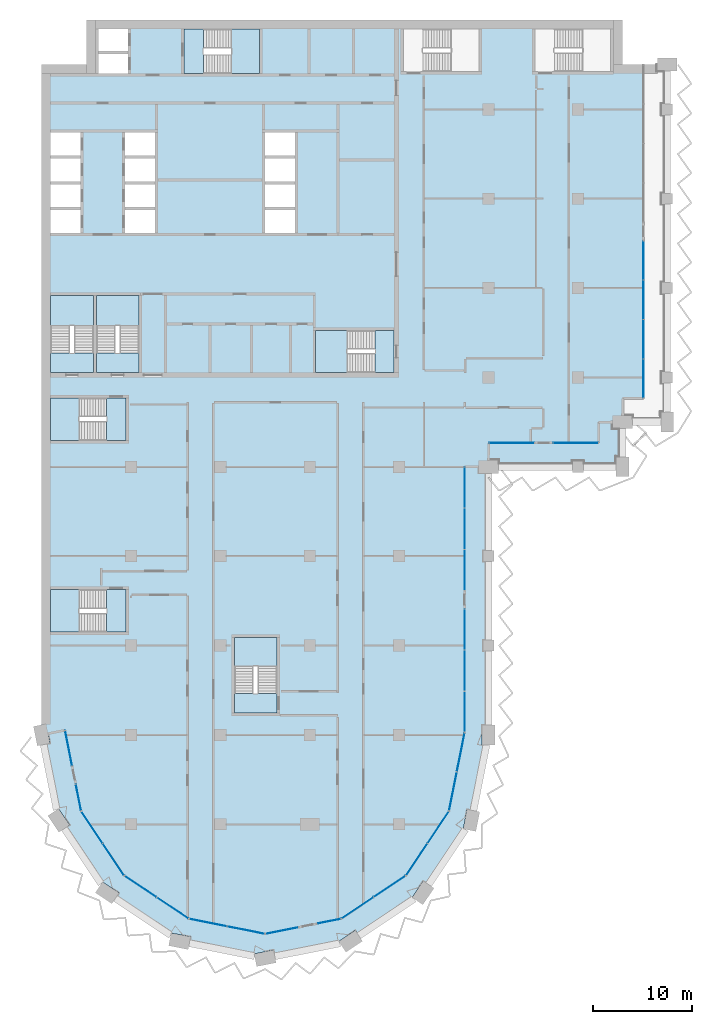
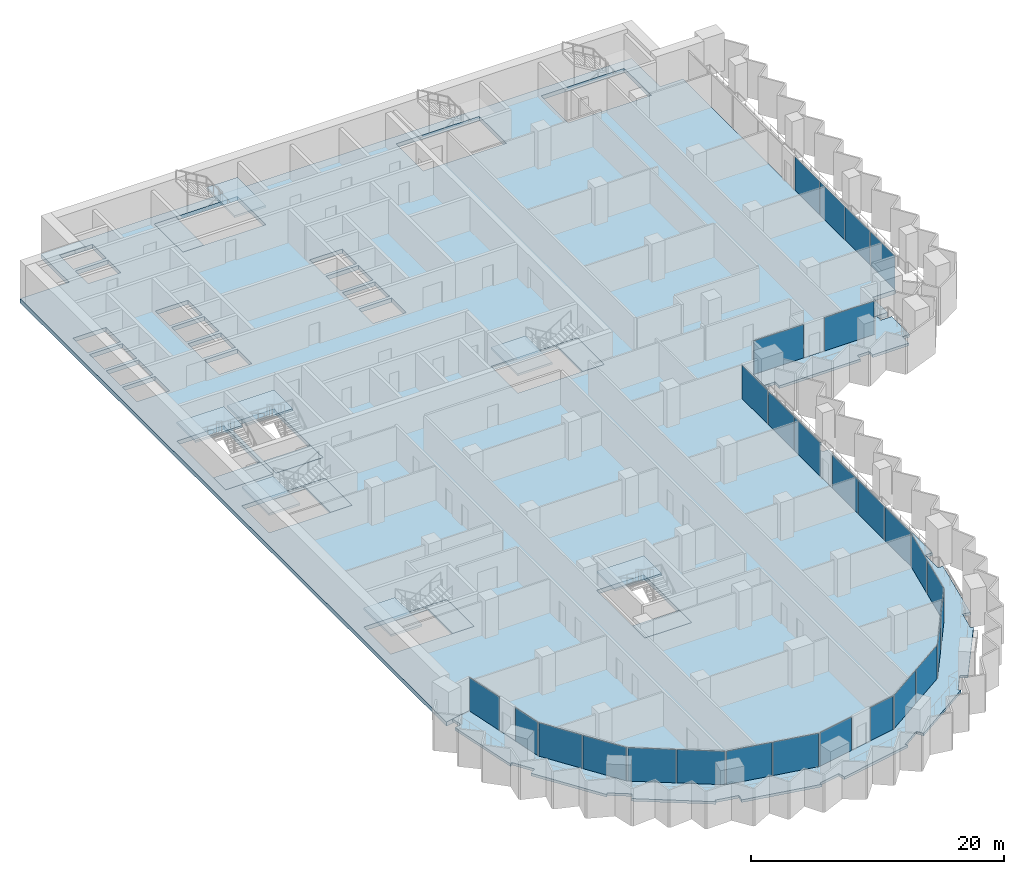
# One storey, part 6 of 22: 28 plates, 17 slabs, 22 elements without a shape of their own.
"""IFC4 building model written with IfcOpenShell, lengths in metres."""

from ifc_helpers import new_model, si_unit, direction, frame, origin, origin_2d, place, context, subcontext, project, spatial, polyline, rectangle, outline, extrude, material, layer, layer_set, type_object, element, aggregate, save


model = new_model("IFC4")

# Units and contexts
model_context = context("Model", 3, precision=1e-05, world=origin(), true_north=direction((0.0, 1.0)))
body_context = subcontext(model_context, "Body", "Model", "MODEL_VIEW")
ifc_project = project(units=[si_unit("LENGTHUNIT", "METRE"), si_unit("AREAUNIT", "SQUARE_METRE"), si_unit("VOLUMEUNIT", "CUBIC_METRE"), si_unit("PLANEANGLEUNIT", "RADIAN"), si_unit("MASSUNIT", "GRAM", prefix="KILO")], contexts=[model_context])

# Site, building, storey
site_placement = place(None, origin())
site = spatial("IfcSite", under=ifc_project, at=site_placement, CompositionType="ELEMENT")
building_placement = place(site_placement, origin())
building = spatial("IfcBuilding", under=site, at=building_placement, Name="Hunhe Ridgeline Campus", CompositionType="ELEMENT")
storey_placement = place(building_placement, frame((0.0, 0.0, 159.699951171875)))
storey = spatial("IfcBuildingStorey", under=building, at=storey_placement, Name="L40", CompositionType="ELEMENT", Elevation=159.699951171875)

# Curtain wall, plate
ifc_material_1 = material(Name="Aluminium 6063", Category="aluminium")
curtain_wall_type_1 = type_object("IfcCurtainWallType", Name="Curtain wall CW-5", PredefinedType="NOTDEFINED", material=ifc_material_1)
curtain_wall_1_placement = place(storey_placement, origin())
curtain_wall_1 = element("IfcCurtainWall", 1, at=curtain_wall_1_placement, inside=storey, type_object=curtain_wall_type_1, Name="Curtain wall 01", PredefinedType="NOTDEFINED")
ifc_material_2 = material(Name="Low-e laminated glass", Category="glass")
ifc_layer_1 = layer(ifc_material_2, 0.028076171875)
ifc_layer_set_1 = layer_set([ifc_layer_1], Name="Curtain wall glass panel 28 low-e laminated")
plate_type = type_object("IfcPlateType", Name="Curtain wall glass panel 28 low-e laminated", PredefinedType="CURTAIN_PANEL", material=ifc_layer_set_1)
plate_1_placement = place(storey_placement, frame((2.7158203125, 25.65380859375, 0.0), z_axis=(0.0, 0.0, 1.0), x_axis=(0.195095326561, -0.980784284924, 0.0)))
plate_1 = element("IfcPlate", 2, at=plate_1_placement, type_object=plate_type, Name="CW-5 panel 1", PredefinedType="CURTAIN_PANEL", context=body_context, shape_type="SweptSolid", body=[
    extrude(rectangle(XDim=3.560791015625, YDim=0.028076171875, at=origin_2d()), origin(), (0.0, 0.0, 1.0), 3.22998046875),
])
aggregate(curtain_wall_1, [plate_1])

curtain_wall_2_placement = place(storey_placement, origin())
curtain_wall_2 = element("IfcCurtainWall", 3, at=curtain_wall_2_placement, inside=storey, type_object=curtain_wall_type_1, Name="Curtain wall 02", PredefinedType="NOTDEFINED")
plate_2_placement = place(storey_placement, frame((3.701171875, 20.699951171875, 0.0), z_axis=(0.0, 0.0, 1.0), x_axis=(0.195095265587, -0.980784297053, 0.0)))
plate_2 = element("IfcPlate", 4, at=plate_2_placement, type_object=plate_type, Name="CW-5 panel 1", PredefinedType="CURTAIN_PANEL", context=body_context, shape_type="SweptSolid", body=[
    extrude(rectangle(XDim=2.660888671875, YDim=0.028076171875, at=origin_2d()), origin(), (0.0, 0.0, 1.0), 3.22998046875),
])
aggregate(curtain_wall_2, [plate_2])

# Curtain wall, plates
curtain_wall_3_placement = place(storey_placement, origin())
curtain_wall_3 = element("IfcCurtainWall", 5, at=curtain_wall_3_placement, inside=storey, type_object=curtain_wall_type_1, Name="Curtain wall 03", PredefinedType="NOTDEFINED")
plate_3_placement = place(storey_placement, frame((5.07080078125, 17.685546875, 0.0), z_axis=(0.0, 0.0, 1.0), x_axis=(0.555570274596, -0.831469584522, 0.0)))
plate_3 = element("IfcPlate", 6, at=plate_3_placement, type_object=plate_type, Name="CW-5 panel 1", PredefinedType="CURTAIN_PANEL", context=body_context, shape_type="SweptSolid", body=[
    extrude(rectangle(XDim=3.806884765625, YDim=0.028076171875, at=origin_2d()), origin(), (0.0, 0.0, 1.0), 3.22998046875),
])
plate_4_placement = place(storey_placement, frame((7.224609375, 14.4619140625, 0.0), z_axis=(0.0, 0.0, 1.0), x_axis=(0.555570274596, -0.831469584522, 0.0)))
plate_4 = element("IfcPlate", 7, at=plate_4_placement, type_object=plate_type, Name="CW-5 panel 2", PredefinedType="CURTAIN_PANEL", context=body_context, shape_type="SweptSolid", body=[
    extrude(rectangle(XDim=3.806884765625, YDim=0.028076171875, at=origin_2d()), origin(), (0.0, 0.0, 1.0), 3.22998046875),
])
aggregate(curtain_wall_3, [plate_3, plate_4])

curtain_wall_4_placement = place(storey_placement, origin())
curtain_wall_4 = element("IfcCurtainWall", 8, at=curtain_wall_4_placement, inside=storey, type_object=curtain_wall_type_1, Name="Curtain wall 04", PredefinedType="NOTDEFINED")
plate_5_placement = place(storey_placement, frame((9.9619140625, 11.724609375, 0.0), z_axis=(0.0, 0.0, 1.0), x_axis=(0.831469584522, -0.555570274596, 0.0)))
plate_5 = element("IfcPlate", 9, at=plate_5_placement, type_object=plate_type, Name="CW-5 panel 1", PredefinedType="CURTAIN_PANEL", context=body_context, shape_type="SweptSolid", body=[
    extrude(rectangle(XDim=3.806884765625, YDim=0.028076171875, at=origin_2d()), origin(), (0.0, 0.0, 1.0), 3.22998046875),
])
plate_6_placement = place(storey_placement, frame((13.185546875, 9.57080078125, 0.0), z_axis=(0.0, 0.0, 1.0), x_axis=(0.831469584522, -0.555570274596, 0.0)))
plate_6 = element("IfcPlate", 10, at=plate_6_placement, type_object=plate_type, Name="CW-5 panel 2", PredefinedType="CURTAIN_PANEL", context=body_context, shape_type="SweptSolid", body=[
    extrude(rectangle(XDim=3.806884765625, YDim=0.028076171875, at=origin_2d()), origin(), (0.0, 0.0, 1.0), 3.22998046875),
])
aggregate(curtain_wall_4, [plate_5, plate_6])

curtain_wall_5_placement = place(storey_placement, origin())
curtain_wall_5 = element("IfcCurtainWall", 11, at=curtain_wall_5_placement, inside=storey, type_object=curtain_wall_type_1, Name="Curtain wall 05", PredefinedType="NOTDEFINED")
plate_7_placement = place(storey_placement, frame((16.761962890625, 8.08935546875, 0.0), z_axis=(0.0, 0.0, 1.0), x_axis=(0.980785275326, -0.195090347539, 0.0)))
plate_7 = element("IfcPlate", 12, at=plate_7_placement, type_object=plate_type, Name="CW-5 panel 1", PredefinedType="CURTAIN_PANEL", context=body_context, shape_type="SweptSolid", body=[
    extrude(rectangle(XDim=3.806884765625, YDim=0.028076171875, at=origin_2d()), origin(), (0.0, 0.0, 1.0), 3.22998046875),
])
plate_8_placement = place(storey_placement, frame((20.564453125, 7.3330078125, 0.0), z_axis=(0.0, 0.0, 1.0), x_axis=(0.980785275326, -0.195090347539, 0.0)))
plate_8 = element("IfcPlate", 13, at=plate_8_placement, type_object=plate_type, Name="CW-5 panel 2", PredefinedType="CURTAIN_PANEL", context=body_context, shape_type="SweptSolid", body=[
    extrude(rectangle(XDim=3.806884765625, YDim=0.028076171875, at=origin_2d()), origin(), (0.0, 0.0, 1.0), 3.22998046875),
])
aggregate(curtain_wall_5, [plate_7, plate_8])

# Curtain wall, plate
curtain_wall_6_placement = place(storey_placement, origin())
curtain_wall_6 = element("IfcCurtainWall", 14, at=curtain_wall_6_placement, inside=storey, type_object=curtain_wall_type_1, Name="Curtain wall 06", PredefinedType="NOTDEFINED")
plate_9_placement = place(storey_placement, frame((24.19775390625, 7.28564453125, 0.0), z_axis=(0.0, 0.0, 1.0), x_axis=(0.980785270791, 0.19509037034, 0.0)))
plate_9 = element("IfcPlate", 15, at=plate_9_placement, type_object=plate_type, Name="CW-5 panel 1", PredefinedType="CURTAIN_PANEL", context=body_context, shape_type="SweptSolid", body=[
    extrude(rectangle(XDim=3.322021484375, YDim=0.028076171875, at=origin_2d()), origin(), (0.0, 0.0, 1.0), 3.22998046875),
])
aggregate(curtain_wall_6, [plate_9])

curtain_wall_7_placement = place(storey_placement, origin())
curtain_wall_7 = element("IfcCurtainWall", 16, at=curtain_wall_7_placement, inside=storey, type_object=curtain_wall_type_1, Name="Curtain wall 07", PredefinedType="NOTDEFINED")
plate_10_placement = place(storey_placement, frame((28.917236328125, 8.224609375, 0.0), z_axis=(0.0, 0.0, 1.0), x_axis=(0.980785242091, 0.195090514627, 0.0)))
plate_10 = element("IfcPlate", 17, at=plate_10_placement, type_object=plate_type, Name="CW-5 panel 1", PredefinedType="CURTAIN_PANEL", context=body_context, shape_type="SweptSolid", body=[
    extrude(rectangle(XDim=2.421875, YDim=0.028076171875, at=origin_2d()), origin(), (0.0, 0.0, 1.0), 3.22998046875),
])
aggregate(curtain_wall_7, [plate_10])

# Curtain wall, plates
curtain_wall_8_placement = place(storey_placement, origin())
curtain_wall_8 = element("IfcCurtainWall", 18, at=curtain_wall_8_placement, inside=storey, type_object=curtain_wall_type_1, Name="Curtain wall 08", PredefinedType="NOTDEFINED")
plate_11_placement = place(storey_placement, frame((31.814453125, 9.57080078125, 0.0), z_axis=(0.0, 0.0, 1.0), x_axis=(0.831469584522, 0.555570274596, 0.0)))
plate_11 = element("IfcPlate", 19, at=plate_11_placement, type_object=plate_type, Name="CW-5 panel 1", PredefinedType="CURTAIN_PANEL", context=body_context, shape_type="SweptSolid", body=[
    extrude(rectangle(XDim=3.806884765625, YDim=0.028076171875, at=origin_2d()), origin(), (0.0, 0.0, 1.0), 3.22998046875),
])
plate_12_placement = place(storey_placement, frame((35.0380859375, 11.724609375, 0.0), z_axis=(0.0, 0.0, 1.0), x_axis=(0.831469584522, 0.555570274596, 0.0)))
plate_12 = element("IfcPlate", 20, at=plate_12_placement, type_object=plate_type, Name="CW-5 panel 2", PredefinedType="CURTAIN_PANEL", context=body_context, shape_type="SweptSolid", body=[
    extrude(rectangle(XDim=3.806884765625, YDim=0.028076171875, at=origin_2d()), origin(), (0.0, 0.0, 1.0), 3.22998046875),
])
aggregate(curtain_wall_8, [plate_11, plate_12])

curtain_wall_9_placement = place(storey_placement, origin())
curtain_wall_9 = element("IfcCurtainWall", 21, at=curtain_wall_9_placement, inside=storey, type_object=curtain_wall_type_1, Name="Curtain wall 09", PredefinedType="NOTDEFINED")
plate_13_placement = place(storey_placement, frame((37.775390625, 14.4619140625, 0.0), z_axis=(0.0, 0.0, 1.0), x_axis=(0.555570274596, 0.831469584522, 0.0)))
plate_13 = element("IfcPlate", 22, at=plate_13_placement, type_object=plate_type, Name="CW-5 panel 1", PredefinedType="CURTAIN_PANEL", context=body_context, shape_type="SweptSolid", body=[
    extrude(rectangle(XDim=3.806884765625, YDim=0.028076171875, at=origin_2d()), origin(), (0.0, 0.0, 1.0), 3.22998046875),
])
plate_14_placement = place(storey_placement, frame((39.92919921875, 17.685546875, 0.0), z_axis=(0.0, 0.0, 1.0), x_axis=(0.555570274596, 0.831469584522, 0.0)))
plate_14 = element("IfcPlate", 23, at=plate_14_placement, type_object=plate_type, Name="CW-5 panel 2", PredefinedType="CURTAIN_PANEL", context=body_context, shape_type="SweptSolid", body=[
    extrude(rectangle(XDim=3.806884765625, YDim=0.028076171875, at=origin_2d()), origin(), (0.0, 0.0, 1.0), 3.22998046875),
])
aggregate(curtain_wall_9, [plate_13, plate_14])

curtain_wall_10_placement = place(storey_placement, origin())
curtain_wall_10 = element("IfcCurtainWall", 24, at=curtain_wall_10_placement, inside=storey, type_object=curtain_wall_type_1, Name="Curtain wall 10", PredefinedType="NOTDEFINED")
plate_15_placement = place(storey_placement, frame((41.42236328125, 21.321044921875, 0.0), z_axis=(0.0, 0.0, 1.0), x_axis=(0.195090299215, 0.980785284939, 0.0)))
plate_15 = element("IfcPlate", 25, at=plate_15_placement, type_object=plate_type, Name="CW-5 panel 1", PredefinedType="CURTAIN_PANEL", context=body_context, shape_type="SweptSolid", body=[
    extrude(rectangle(XDim=3.927490234375, YDim=0.028076171875, at=origin_2d()), origin(), (0.0, 0.0, 1.0), 3.22998046875),
])
plate_16_placement = place(storey_placement, frame((42.2021484375, 25.24169921875, 0.0), z_axis=(0.0, 0.0, 1.0), x_axis=(0.195090299215, 0.980785284939, 0.0)))
plate_16 = element("IfcPlate", 26, at=plate_16_placement, type_object=plate_type, Name="CW-5 panel 2", PredefinedType="CURTAIN_PANEL", context=body_context, shape_type="SweptSolid", body=[
    extrude(rectangle(XDim=3.927490234375, YDim=0.028076171875, at=origin_2d()), origin(), (0.0, 0.0, 1.0), 3.22998046875),
])
aggregate(curtain_wall_10, [plate_15, plate_16])

curtain_wall_type_2 = type_object("IfcCurtainWallType", Name="Curtain wall CW-1", PredefinedType="NOTDEFINED", material=ifc_material_1)
curtain_wall_11_placement = place(storey_placement, origin())
curtain_wall_11 = element("IfcCurtainWall", 27, at=curtain_wall_11_placement, inside=storey, type_object=curtain_wall_type_2, Name="Curtain wall 11", PredefinedType="NOTDEFINED")
plate_17_placement = place(storey_placement, frame((42.59912109375, 29.331787109375, 0.0), z_axis=(0.0, 0.0, 1.0), x_axis=(4.406345e-06, 0.99999999999, 0.0)))
plate_17 = element("IfcPlate", 28, at=plate_17_placement, type_object=plate_type, Name="CW-1 panel 1", PredefinedType="CURTAIN_PANEL", context=body_context, shape_type="SweptSolid", body=[
    extrude(rectangle(XDim=4.070556640625, YDim=0.028076171875, at=origin_2d()), origin(), (0.0, 0.0, 1.0), 3.239990234375),
])
plate_18_placement = place(storey_placement, frame((42.59912109375, 33.4775390625, 0.0), z_axis=(0.0, 0.0, 1.0), x_axis=(4.406345e-06, 0.99999999999, 0.0)))
plate_18 = element("IfcPlate", 29, at=plate_18_placement, type_object=plate_type, Name="CW-1 panel 2", PredefinedType="CURTAIN_PANEL", context=body_context, shape_type="SweptSolid", body=[
    extrude(rectangle(XDim=4.1005859375, YDim=0.028076171875, at=origin_2d()), origin(), (0.0, 0.0, 1.0), 3.239990234375),
])
plate_19_placement = place(storey_placement, frame((42.59912109375, 37.623046875, 0.0), z_axis=(0.0, 0.0, 1.0), x_axis=(4.406345e-06, 0.99999999999, 0.0)))
plate_19 = element("IfcPlate", 30, at=plate_19_placement, type_object=plate_type, Name="CW-1 panel 3", PredefinedType="CURTAIN_PANEL", context=body_context, shape_type="SweptSolid", body=[
    extrude(rectangle(XDim=4.070556640625, YDim=0.028076171875, at=origin_2d()), origin(), (0.0, 0.0, 1.0), 3.239990234375),
])
aggregate(curtain_wall_11, [plate_17, plate_18, plate_19])

curtain_wall_12_placement = place(storey_placement, origin())
curtain_wall_12 = element("IfcCurtainWall", 31, at=curtain_wall_12_placement, inside=storey, type_object=curtain_wall_type_2, Name="Curtain wall 12", PredefinedType="NOTDEFINED")
plate_20_placement = place(storey_placement, frame((42.59912109375, 43.61376953125, 0.0), z_axis=(0.0, 0.0, 1.0), x_axis=(4.406345e-06, 0.99999999999, 0.0)))
plate_20 = element("IfcPlate", 32, at=plate_20_placement, type_object=plate_type, Name="CW-1 panel 1", PredefinedType="CURTAIN_PANEL", context=body_context, shape_type="SweptSolid", body=[
    extrude(rectangle(XDim=4.070556640625, YDim=0.028076171875, at=origin_2d()), origin(), (0.0, 0.0, 1.0), 3.239990234375),
])
plate_21_placement = place(storey_placement, frame((42.59912109375, 47.759521484375, 0.0), z_axis=(0.0, 0.0, 1.0), x_axis=(4.406345e-06, 0.99999999999, 0.0)))
plate_21 = element("IfcPlate", 33, at=plate_21_placement, type_object=plate_type, Name="CW-1 panel 2", PredefinedType="CURTAIN_PANEL", context=body_context, shape_type="SweptSolid", body=[
    extrude(rectangle(XDim=4.1005859375, YDim=0.028076171875, at=origin_2d()), origin(), (0.0, 0.0, 1.0), 3.239990234375),
])
plate_22_placement = place(storey_placement, frame((42.59912109375, 51.905029296875, 0.0), z_axis=(0.0, 0.0, 1.0), x_axis=(4.406345e-06, 0.99999999999, 0.0)))
plate_22 = element("IfcPlate", 34, at=plate_22_placement, type_object=plate_type, Name="CW-1 panel 3", PredefinedType="CURTAIN_PANEL", context=body_context, shape_type="SweptSolid", body=[
    extrude(rectangle(XDim=4.070556640625, YDim=0.028076171875, at=origin_2d()), origin(), (0.0, 0.0, 1.0), 3.239990234375),
])
aggregate(curtain_wall_12, [plate_20, plate_21, plate_22])

# Curtain wall, plate
curtain_wall_13_placement = place(storey_placement, origin())
curtain_wall_13 = element("IfcCurtainWall", 35, at=curtain_wall_13_placement, inside=storey, type_object=curtain_wall_type_2, Name="Curtain wall 13", PredefinedType="NOTDEFINED")
plate_23_placement = place(storey_placement, frame((47.32470703125, 56.40087890625, 0.0), z_axis=(0.0, 0.0, 1.0), x_axis=(0.999999999999, 1.72058e-06, 0.0)))
plate_23 = element("IfcPlate", 36, at=plate_23_placement, type_object=plate_type, Name="CW-1 panel 1", PredefinedType="CURTAIN_PANEL", context=body_context, shape_type="SweptSolid", body=[
    extrude(rectangle(XDim=4.529541015625, YDim=0.028076171875, at=origin_2d()), origin(), (0.0, 0.0, 1.0), 3.239990234375),
])
aggregate(curtain_wall_13, [plate_23])

curtain_wall_14_placement = place(storey_placement, origin())
curtain_wall_14 = element("IfcCurtainWall", 37, at=curtain_wall_14_placement, inside=storey, type_object=curtain_wall_type_2, Name="Curtain wall 14", PredefinedType="NOTDEFINED")
plate_24_placement = place(storey_placement, frame((53.774169921875, 56.40087890625, 0.0), z_axis=(0.0, 0.0, 1.0), x_axis=(0.999999999999, 1.72058e-06, 0.0)))
plate_24 = element("IfcPlate", 38, at=plate_24_placement, type_object=plate_type, Name="CW-1 panel 1", PredefinedType="CURTAIN_PANEL", context=body_context, shape_type="SweptSolid", body=[
    extrude(rectangle(XDim=4.529541015625, YDim=0.028076171875, at=origin_2d()), origin(), (0.0, 0.0, 1.0), 3.239990234375),
])
aggregate(curtain_wall_14, [plate_24])

# Curtain wall, plates
curtain_wall_15_placement = place(storey_placement, origin())
curtain_wall_15 = element("IfcCurtainWall", 39, at=curtain_wall_15_placement, inside=storey, type_object=curtain_wall_type_2, Name="Curtain wall 15", PredefinedType="NOTDEFINED")
plate_25_placement = place(storey_placement, frame((60.59912109375, 62.9033203125, 0.0), z_axis=(0.0, 0.0, 1.0), x_axis=(0.0, 1.0, 0.0)))
plate_25 = element("IfcPlate", 40, at=plate_25_placement, type_object=plate_type, Name="CW-1 panel 1", PredefinedType="CURTAIN_PANEL", context=body_context, shape_type="SweptSolid", body=[
    extrude(rectangle(XDim=3.884765625, YDim=0.028076171875, at=origin_2d()), origin(), (0.0, 0.0, 1.0), 3.239990234375),
])
plate_26_placement = place(storey_placement, frame((60.59912109375, 66.86328125, 0.0), z_axis=(0.0, 0.0, 1.0), x_axis=(0.0, 1.0, 0.0)))
plate_26 = element("IfcPlate", 41, at=plate_26_placement, type_object=plate_type, Name="CW-1 panel 2", PredefinedType="CURTAIN_PANEL", context=body_context, shape_type="SweptSolid", body=[
    extrude(rectangle(XDim=3.914794921875, YDim=0.028076171875, at=origin_2d()), origin(), (0.0, 0.0, 1.0), 3.239990234375),
])
plate_27_placement = place(storey_placement, frame((60.59912109375, 70.838134765625, 0.0), z_axis=(0.0, 0.0, 1.0), x_axis=(0.0, 1.0, 0.0)))
plate_27 = element("IfcPlate", 42, at=plate_27_placement, type_object=plate_type, Name="CW-1 panel 3", PredefinedType="CURTAIN_PANEL", context=body_context, shape_type="SweptSolid", body=[
    extrude(rectangle(XDim=3.914794921875, YDim=0.028076171875, at=origin_2d()), origin(), (0.0, 0.0, 1.0), 3.239990234375),
])
plate_28_placement = place(storey_placement, frame((60.59912109375, 74.798095703125, 0.0), z_axis=(0.0, 0.0, 1.0), x_axis=(0.0, 1.0, 0.0)))
plate_28 = element("IfcPlate", 43, at=plate_28_placement, type_object=plate_type, Name="CW-1 panel 4", PredefinedType="CURTAIN_PANEL", context=body_context, shape_type="SweptSolid", body=[
    extrude(rectangle(XDim=3.884765625, YDim=0.028076171875, at=origin_2d()), origin(), (0.0, 0.0, 1.0), 3.239990234375),
])
aggregate(curtain_wall_15, [plate_25, plate_26, plate_27, plate_28])

# Slabs
ifc_material_3 = material(Name="Concrete C40", Category="concrete")
ifc_layer_2 = layer(ifc_material_3, 0.39990234375)
ifc_layer_set_2 = layer_set([ifc_layer_2], Name="Floor slab 400 Concrete C40")
slab_type_1 = type_object("IfcSlabType", Name="Floor slab 400 Concrete C40", PredefinedType="FLOOR", material=ifc_layer_set_2)
slab_1_placement = place(storey_placement, frame((0.0, 0.0, -0.39990234375)))
element("IfcSlab", 44, at=slab_1_placement, inside=storey, type_object=slab_type_1, Name="Floor slab L40 1", PredefinedType="FLOOR", context=body_context, shape_type="SweptSolid", body=[
    extrude(outline(polyline([(2.354736328125, 27.46875), (3.974365234375, 19.326416015625), (8.321044921875, 12.821044921875), (14.826416015625, 8.474365234375), (22.5, 6.947998046875), (30.173583984375, 8.474365234375), (36.678955078125, 12.821044921875), (41.025634765625, 19.326416015625), (42.59912109375, 27.236572265625), (42.59912109375, 54.00048828125), (44.9990234375, 54.0009765625), (44.999755859375, 56.40087890625), (56.09912109375, 56.40087890625), (56.099365234375, 58.500732421875), (58.4990234375, 58.5009765625), (58.499267578125, 60.900634765625), (60.59912109375, 60.90087890625), (60.59912109375, 94.5), (58.5, 94.5), (58.5, 99.0), (4.5, 99.0), (4.5, 94.5), (0.0, 94.5), (0.0, 27.0009765625), (2.354736328125, 27.46875)]), holes=[polyline([(49.699951171875, 93.800048828125), (57.300048828125, 93.800048828125), (57.300048828125, 98.10009765625), (49.699951171875, 98.10009765625), (49.699951171875, 93.800048828125)]), polyline([(44.050048828125, 93.800048828125), (44.050048828125, 98.10009765625), (36.449951171875, 98.10009765625), (36.449951171875, 93.800048828125), (44.050048828125, 93.800048828125)]), polyline([(35.5, 67.75), (27.60009765625, 67.75), (27.60009765625, 63.5), (35.5, 63.5), (35.5, 67.75)]), polyline([(25.5, 82.75), (25.5, 85.050048828125), (22.5, 85.050048828125), (22.5, 82.75), (25.5, 82.75)]), polyline([(25.5, 82.449951171875), (22.5, 82.449951171875), (22.5, 80.14990234375), (25.5, 80.14990234375), (25.5, 82.449951171875)]), polyline([(22.5, 85.35009765625), (25.5, 85.35009765625), (25.5, 87.64990234375), (22.5, 87.64990234375), (22.5, 85.35009765625)]), polyline([(22.5, 79.85009765625), (22.5, 77.550048828125), (25.5, 77.550048828125), (25.5, 79.85009765625), (22.5, 79.85009765625)]), polyline([(19.39990234375, 29.199951171875), (23.699951171875, 29.199951171875), (23.699951171875, 36.800048828125), (19.39990234375, 36.800048828125), (19.39990234375, 29.199951171875)]), polyline([(21.949951171875, 93.60009765625), (21.949951171875, 98.10009765625), (14.35009765625, 98.10009765625), (14.35009765625, 93.60009765625), (21.949951171875, 93.60009765625)]), polyline([(8.39990234375, 79.85009765625), (8.39990234375, 77.550048828125), (11.39990234375, 77.550048828125), (11.39990234375, 79.85009765625), (8.39990234375, 79.85009765625)]), polyline([(8.39990234375, 85.35009765625), (11.39990234375, 85.35009765625), (11.39990234375, 87.64990234375), (8.39990234375, 87.64990234375), (8.39990234375, 85.35009765625)]), polyline([(11.39990234375, 82.449951171875), (8.39990234375, 82.449951171875), (8.39990234375, 80.14990234375), (11.39990234375, 80.14990234375), (11.39990234375, 82.449951171875)]), polyline([(11.39990234375, 82.75), (11.39990234375, 85.050048828125), (8.39990234375, 85.050048828125), (8.39990234375, 82.75), (11.39990234375, 82.75)]), polyline([(5.5, 71.25), (5.5, 63.5), (9.800048828125, 63.5), (9.800048828125, 71.25), (5.5, 71.25)]), polyline([(8.699951171875, 98.10009765625), (5.699951171875, 98.10009765625), (5.699951171875, 95.89990234375), (8.699951171875, 95.89990234375), (8.699951171875, 98.10009765625)]), polyline([(5.699951171875, 95.60009765625), (5.699951171875, 93.60009765625), (8.699951171875, 93.60009765625), (8.699951171875, 95.60009765625), (5.699951171875, 95.60009765625)]), polyline([(0.89990234375, 60.949951171875), (0.89990234375, 56.64990234375), (8.5, 56.64990234375), (8.5, 60.949951171875), (0.89990234375, 60.949951171875)]), polyline([(0.89990234375, 37.35009765625), (8.5, 37.35009765625), (8.5, 41.64990234375), (0.89990234375, 41.64990234375), (0.89990234375, 37.35009765625)]), polyline([(0.89990234375, 63.5), (5.199951171875, 63.5), (5.199951171875, 71.25), (0.89990234375, 71.25), (0.89990234375, 63.5)]), polyline([(3.89990234375, 82.75), (3.89990234375, 85.050048828125), (0.89990234375, 85.050048828125), (0.89990234375, 82.75), (3.89990234375, 82.75)]), polyline([(3.89990234375, 82.449951171875), (0.89990234375, 82.449951171875), (0.89990234375, 80.14990234375), (3.89990234375, 80.14990234375), (3.89990234375, 82.449951171875)]), polyline([(0.89990234375, 85.35009765625), (3.89990234375, 85.35009765625), (3.89990234375, 87.64990234375), (0.89990234375, 87.64990234375), (0.89990234375, 85.35009765625)]), polyline([(0.89990234375, 79.85009765625), (0.89990234375, 77.550048828125), (3.89990234375, 77.550048828125), (3.89990234375, 79.85009765625), (0.89990234375, 79.85009765625)])]), origin(), (0.0, 0.0, 1.0), 0.39990234375),
])
ifc_layer_3 = layer(ifc_material_3, 0.25)
ifc_layer_set_3 = layer_set([ifc_layer_3], Name="Loggia slab 250 Concrete C40")
slab_type_2 = type_object("IfcSlabType", Name="Loggia slab 250 Concrete C40", PredefinedType="FLOOR", material=ifc_layer_set_3)
slab_2_placement = place(storey_placement, frame((0.0, 0.0, -0.25)))
element("IfcSlab", 45, at=slab_2_placement, inside=storey, type_object=slab_type_2, Name="Loggia slab 1", PredefinedType="FLOOR", context=body_context, shape_type="SweptSolid", body=[
    extrude(outline(polyline([(30.173828125, 8.473388671875), (22.5, 6.947021484375), (14.826171875, 8.473388671875), (8.3203125, 12.8203125), (3.973388671875, 19.326171875), (2.35400390625, 27.46826171875), (0.637451171875, 27.126708984375), (0.83251953125, 26.14599609375), (0.195068359375, 26.019287109375), (1.50146484375, 19.451171875), (1.697509765625, 19.582275390625), (2.808837890625, 17.919189453125), (2.268310546875, 17.55810546875), (5.98876953125, 11.989990234375), (6.11962890625, 12.18603515625), (7.78271484375, 11.074951171875), (7.421630859375, 10.534423828125), (12.98974609375, 6.81396484375), (13.03564453125, 7.04541015625), (14.997314453125, 6.655029296875), (14.870361328125, 6.017578125), (21.4384765625, 4.711181640625), (21.392333984375, 4.9423828125), (23.35400390625, 5.33251953125), (23.480712890625, 4.695068359375), (30.048828125, 6.00146484375), (29.917724609375, 6.197509765625), (31.580810546875, 7.308837890625), (31.94189453125, 6.768310546875), (37.510009765625, 10.48876953125), (37.31396484375, 10.61962890625), (38.425048828125, 12.28271484375), (38.965576171875, 11.921630859375), (42.68603515625, 17.48974609375), (42.45458984375, 17.53564453125), (42.844970703125, 19.497314453125), (43.482421875, 19.370361328125), (44.801025390625, 26.0), (44.35009765625, 26.0), (44.35009765625, 28.0), (45.0, 28.0), (45.0, 35.449951171875), (44.449951171875, 35.449951171875), (44.449951171875, 36.550048828125), (45.0, 36.550048828125), (45.0, 44.449951171875), (44.449951171875, 44.449951171875), (44.449951171875, 45.550048828125), (45.0, 45.550048828125), (45.0, 53.35009765625), (44.0, 53.35009765625), (44.0, 54.0), (42.60009765625, 54.0), (42.60009765625, 27.236328125), (41.026611328125, 19.326171875), (36.6796875, 12.8203125), (30.173828125, 8.473388671875)])), origin(), (0.0, 0.0, 1.0), 0.25),
])
slab_3_placement = place(storey_placement, frame((0.0, 0.0, -0.25)))
element("IfcSlab", 46, at=slab_3_placement, inside=storey, type_object=slab_type_2, Name="Loggia slab 2", PredefinedType="FLOOR", context=body_context, shape_type="SweptSolid", body=[
    extrude(outline(polyline([(45.0, 54.64990234375), (46.0, 54.64990234375), (46.0, 54.0), (53.449951171875, 54.0), (53.449951171875, 54.550048828125), (54.550048828125, 54.550048828125), (54.550048828125, 54.0), (57.85009765625, 54.0), (57.85009765625, 55.0), (58.5, 55.0), (58.5, 57.85009765625), (57.5, 57.85009765625), (57.5, 58.5), (56.10009765625, 58.5), (56.10009765625, 56.39990234375), (45.0, 56.39990234375), (45.0, 54.64990234375)])), origin(), (0.0, 0.0, 1.0), 0.25),
])

# Stair, slab
stair_type = type_object("IfcStairType", Name="Reinforced concrete dog-leg stair 1950 Concrete C40", PredefinedType="HALF_TURN_STAIR", material=ifc_material_3)
stair_1_placement = place(storey_placement, origin())
stair_1 = element("IfcStair", 47, at=stair_1_placement, inside=storey, type_object=stair_type, Name="L40 S1", PredefinedType="HALF_TURN_STAIR")
ifc_layer_4 = layer(ifc_material_3, 0.199951171875)
ifc_layer_set_4 = layer_set([ifc_layer_4], Name="Reinforced concrete stair landing 200 Concrete C40")
slab_type_3 = type_object("IfcSlabType", Name="Reinforced concrete stair landing 200 Concrete C40", PredefinedType="LANDING", material=ifc_layer_set_4)
slab_4_placement = place(storey_placement, frame((0.0, 0.0, 1.650146484375)))
slab_4 = element("IfcSlab", 48, at=slab_4_placement, type_object=slab_type_3, Name="ST1 landing 1", PredefinedType="LANDING", context=body_context, shape_type="SweptSolid", body=[
    extrude(outline(polyline([(19.10009765625, 93.60009765625), (21.949951171875, 93.60009765625), (21.949951171875, 98.10009765625), (19.10009765625, 98.10009765625), (19.10009765625, 93.60009765625)])), origin(), (0.0, 0.0, 1.0), 0.199951171875),
])
aggregate(stair_1, [slab_4])

# Slab
slab_5_placement = place(storey_placement, frame((0.0, 0.0, -0.199951171875)))
element("IfcSlab", 49, at=slab_5_placement, inside=storey, type_object=slab_type_3, Name="L40 stair S1 floor landing", PredefinedType="LANDING", context=body_context, shape_type="SweptSolid", body=[
    extrude(outline(polyline([(14.35009765625, 93.60009765625), (16.300048828125, 93.60009765625), (16.300048828125, 98.10009765625), (14.35009765625, 98.10009765625), (14.35009765625, 93.60009765625)])), origin(), (0.0, 0.0, 1.0), 0.199951171875),
])

# Stair, slab
stair_2_placement = place(storey_placement, origin())
stair_2 = element("IfcStair", 50, at=stair_2_placement, inside=storey, type_object=stair_type, Name="L40 S2", PredefinedType="HALF_TURN_STAIR")
slab_6_placement = place(storey_placement, frame((0.0, 0.0, 1.650146484375)))
slab_6 = element("IfcSlab", 51, at=slab_6_placement, type_object=slab_type_3, Name="ST2 landing 1", PredefinedType="LANDING", context=body_context, shape_type="SweptSolid", body=[
    extrude(outline(polyline([(30.75, 67.75), (27.60009765625, 67.75), (27.60009765625, 63.5), (30.75, 63.5), (30.75, 67.75)])), origin(), (0.0, 0.0, 1.0), 0.199951171875),
])
aggregate(stair_2, [slab_6])

# Slab
slab_7_placement = place(storey_placement, frame((0.0, 0.0, -0.199951171875)))
element("IfcSlab", 52, at=slab_7_placement, inside=storey, type_object=slab_type_3, Name="L40 stair S2 floor landing", PredefinedType="LANDING", context=body_context, shape_type="SweptSolid", body=[
    extrude(outline(polyline([(35.5, 67.75), (33.550048828125, 67.75), (33.550048828125, 63.5), (35.5, 63.5), (35.5, 67.75)])), origin(), (0.0, 0.0, 1.0), 0.199951171875),
])

# Stair, slab
stair_3_placement = place(storey_placement, origin())
stair_3 = element("IfcStair", 53, at=stair_3_placement, inside=storey, type_object=stair_type, Name="L40 S3", PredefinedType="HALF_TURN_STAIR")
slab_8_placement = place(storey_placement, frame((0.0, 0.0, 1.650146484375)))
slab_8 = element("IfcSlab", 54, at=slab_8_placement, type_object=slab_type_3, Name="ST3 landing 1", PredefinedType="LANDING", context=body_context, shape_type="SweptSolid", body=[
    extrude(outline(polyline([(5.199951171875, 68.25), (5.199951171875, 71.25), (0.89990234375, 71.25), (0.89990234375, 68.25), (5.199951171875, 68.25)])), origin(), (0.0, 0.0, 1.0), 0.199951171875),
])
aggregate(stair_3, [slab_8])

# Slab
slab_9_placement = place(storey_placement, frame((0.0, 0.0, -0.199951171875)))
element("IfcSlab", 55, at=slab_9_placement, inside=storey, type_object=slab_type_3, Name="L40 stair S3 floor landing", PredefinedType="LANDING", context=body_context, shape_type="SweptSolid", body=[
    extrude(outline(polyline([(5.199951171875, 63.5), (5.199951171875, 65.449951171875), (0.89990234375, 65.449951171875), (0.89990234375, 63.5), (5.199951171875, 63.5)])), origin(), (0.0, 0.0, 1.0), 0.199951171875),
])

# Stair, slab
stair_4_placement = place(storey_placement, origin())
stair_4 = element("IfcStair", 56, at=stair_4_placement, inside=storey, type_object=stair_type, Name="L40 S4", PredefinedType="HALF_TURN_STAIR")
slab_10_placement = place(storey_placement, frame((0.0, 0.0, 1.650146484375)))
slab_10 = element("IfcSlab", 57, at=slab_10_placement, type_object=slab_type_3, Name="ST4 landing 1", PredefinedType="LANDING", context=body_context, shape_type="SweptSolid", body=[
    extrude(outline(polyline([(9.800048828125, 68.25), (9.800048828125, 71.25), (5.5, 71.25), (5.5, 68.25), (9.800048828125, 68.25)])), origin(), (0.0, 0.0, 1.0), 0.199951171875),
])
aggregate(stair_4, [slab_10])

# Slab
slab_11_placement = place(storey_placement, frame((0.0, 0.0, -0.199951171875)))
element("IfcSlab", 58, at=slab_11_placement, inside=storey, type_object=slab_type_3, Name="L40 stair S4 floor landing", PredefinedType="LANDING", context=body_context, shape_type="SweptSolid", body=[
    extrude(outline(polyline([(9.800048828125, 63.5), (9.800048828125, 65.449951171875), (5.5, 65.449951171875), (5.5, 63.5), (9.800048828125, 63.5)])), origin(), (0.0, 0.0, 1.0), 0.199951171875),
])

# Stair, slab
stair_5_placement = place(storey_placement, origin())
stair_5 = element("IfcStair", 59, at=stair_5_placement, inside=storey, type_object=stair_type, Name="L40 W3", PredefinedType="HALF_TURN_STAIR")
slab_12_placement = place(storey_placement, frame((0.0, 0.0, 1.650146484375)))
slab_12 = element("IfcSlab", 60, at=slab_12_placement, type_object=slab_type_3, Name="ST9 landing 1", PredefinedType="LANDING", context=body_context, shape_type="SweptSolid", body=[
    extrude(outline(polyline([(23.699951171875, 33.949951171875), (23.699951171875, 36.800048828125), (19.39990234375, 36.800048828125), (19.39990234375, 33.949951171875), (23.699951171875, 33.949951171875)])), origin(), (0.0, 0.0, 1.0), 0.199951171875),
])
aggregate(stair_5, [slab_12])

# Slab
slab_13_placement = place(storey_placement, frame((0.0, 0.0, -0.199951171875)))
element("IfcSlab", 61, at=slab_13_placement, inside=storey, type_object=slab_type_3, Name="L40 stair W3 floor landing", PredefinedType="LANDING", context=body_context, shape_type="SweptSolid", body=[
    extrude(outline(polyline([(23.699951171875, 29.199951171875), (23.699951171875, 31.14990234375), (19.39990234375, 31.14990234375), (19.39990234375, 29.199951171875), (23.699951171875, 29.199951171875)])), origin(), (0.0, 0.0, 1.0), 0.199951171875),
])

# Stair, slab
stair_6_placement = place(storey_placement, origin())
stair_6 = element("IfcStair", 62, at=stair_6_placement, inside=storey, type_object=stair_type, Name="L40 W1", PredefinedType="HALF_TURN_STAIR")
slab_14_placement = place(storey_placement, frame((0.0, 0.0, 1.650146484375)))
slab_14 = element("IfcSlab", 63, at=slab_14_placement, type_object=slab_type_3, Name="ST11 landing 1", PredefinedType="LANDING", context=body_context, shape_type="SweptSolid", body=[
    extrude(outline(polyline([(3.75, 41.64990234375), (0.89990234375, 41.64990234375), (0.89990234375, 37.35009765625), (3.75, 37.35009765625), (3.75, 41.64990234375)])), origin(), (0.0, 0.0, 1.0), 0.199951171875),
])
aggregate(stair_6, [slab_14])

# Slab
slab_15_placement = place(storey_placement, frame((0.0, 0.0, -0.199951171875)))
element("IfcSlab", 64, at=slab_15_placement, inside=storey, type_object=slab_type_3, Name="L40 stair W1 floor landing", PredefinedType="LANDING", context=body_context, shape_type="SweptSolid", body=[
    extrude(outline(polyline([(8.5, 41.64990234375), (6.550048828125, 41.64990234375), (6.550048828125, 37.35009765625), (8.5, 37.35009765625), (8.5, 41.64990234375)])), origin(), (0.0, 0.0, 1.0), 0.199951171875),
])

# Stair, slab
stair_7_placement = place(storey_placement, origin())
stair_7 = element("IfcStair", 65, at=stair_7_placement, inside=storey, type_object=stair_type, Name="L40 W2", PredefinedType="HALF_TURN_STAIR")
slab_16_placement = place(storey_placement, frame((0.0, 0.0, 1.650146484375)))
slab_16 = element("IfcSlab", 66, at=slab_16_placement, type_object=slab_type_3, Name="ST12 landing 1", PredefinedType="LANDING", context=body_context, shape_type="SweptSolid", body=[
    extrude(outline(polyline([(3.75, 60.949951171875), (0.89990234375, 60.949951171875), (0.89990234375, 56.64990234375), (3.75, 56.64990234375), (3.75, 60.949951171875)])), origin(), (0.0, 0.0, 1.0), 0.199951171875),
])
aggregate(stair_7, [slab_16])

# Slab
slab_17_placement = place(storey_placement, frame((0.0, 0.0, -0.199951171875)))
element("IfcSlab", 67, at=slab_17_placement, inside=storey, type_object=slab_type_3, Name="L40 stair W2 floor landing", PredefinedType="LANDING", context=body_context, shape_type="SweptSolid", body=[
    extrude(outline(polyline([(8.5, 60.949951171875), (6.550048828125, 60.949951171875), (6.550048828125, 56.64990234375), (8.5, 56.64990234375), (8.5, 60.949951171875)])), origin(), (0.0, 0.0, 1.0), 0.199951171875),
])

save(model, "model.ifc")
